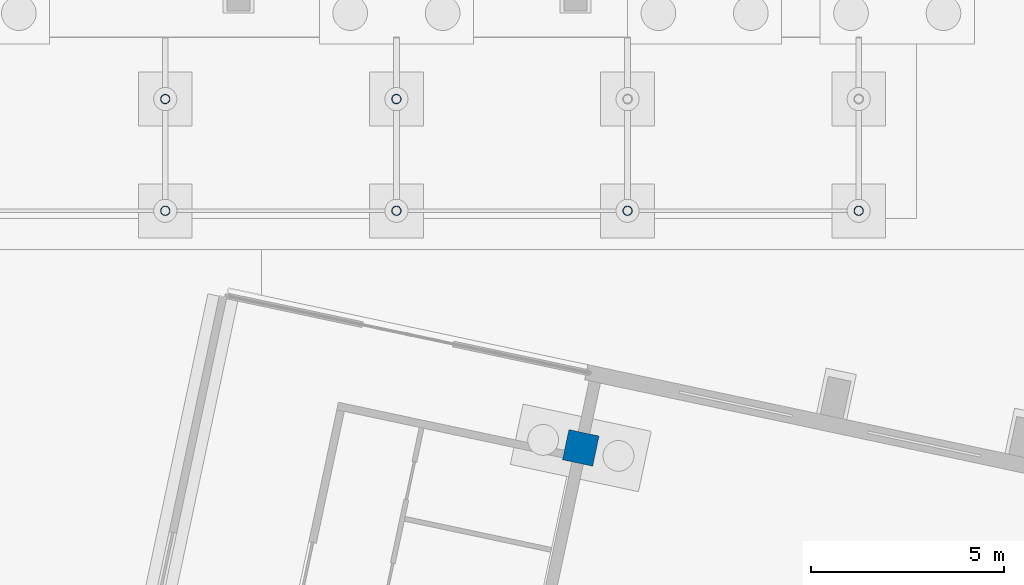
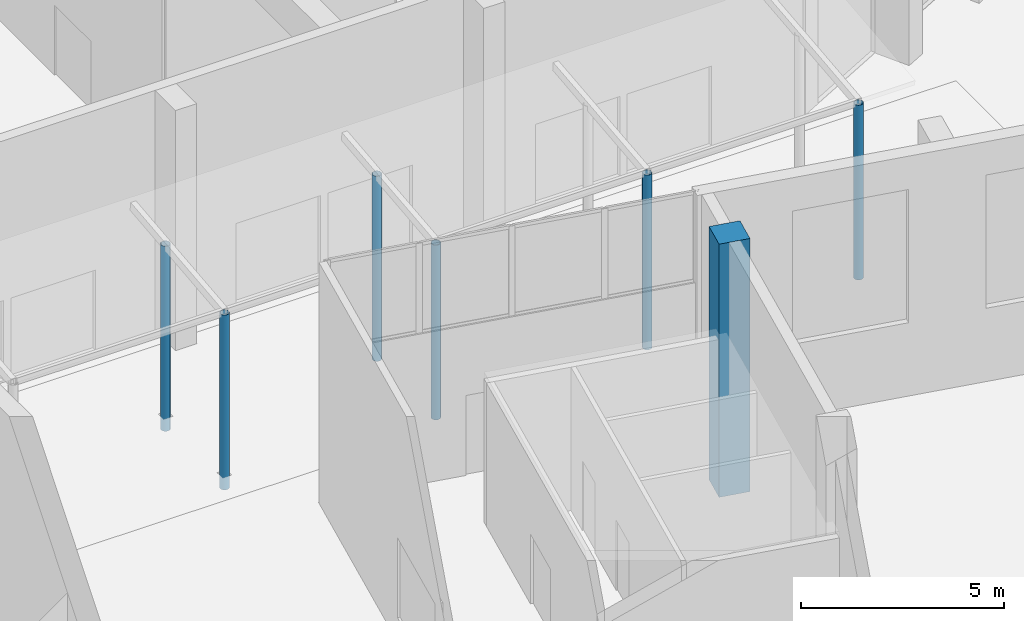
# One storey, part 40 of 239: 7 columns.
"""IFC4 building model written with IfcOpenShell, lengths in metres."""

from ifc_helpers import new_model, si_unit, direction, frame, origin, origin_2d, place, context, subcontext, project, spatial, rectangle, hollow_circle, extrude, material, material_profile, profile_set, type_object, element, save


model = new_model("IFC4")

# Units and contexts
model_context = context("Model", 3, precision=1e-05, world=origin(), true_north=direction((0.0, 1.0)))
body_context = subcontext(model_context, "Body", "Model", "MODEL_VIEW")
ifc_project = project(units=[si_unit("LENGTHUNIT", "METRE"), si_unit("AREAUNIT", "SQUARE_METRE"), si_unit("VOLUMEUNIT", "CUBIC_METRE"), si_unit("PLANEANGLEUNIT", "RADIAN"), si_unit("MASSUNIT", "GRAM", prefix="KILO")], contexts=[model_context])

# Site, building, storey
site_placement = place(None, origin())
site = spatial("IfcSite", under=ifc_project, at=site_placement, CompositionType="ELEMENT")
building_placement = place(site_placement, origin())
building = spatial("IfcBuilding", under=site, at=building_placement, Name="Okhra Congress Centre", CompositionType="ELEMENT")
storey_placement = place(building_placement, origin())
storey = spatial("IfcBuildingStorey", under=building, at=storey_placement, Name="L00", CompositionType="ELEMENT", Elevation=0.0)

# Columns
ifc_material_1 = material(Name="Concrete C40/50", Category="concrete")
ifc_material_profile_1 = material_profile(ifc_material_1, rectangle(XDim=0.800048828125, YDim=0.800048828125, at=origin_2d()), Name="RC 800x800")
ifc_profile_set_1 = profile_set([ifc_material_profile_1], Name="Concrete C40/50")
column_type_1 = type_object("IfcColumnType", Name="RC column 800x800 C40/50", PredefinedType="COLUMN", material=ifc_profile_set_1)
column_1_placement = place(storey_placement, frame((208.785888671875, 137.24560546875, -0.39990234375), z_axis=(0.0, 0.0, 1.0), x_axis=(0.978147600734, -0.207911690818, 0.0)))
element("IfcColumn", 1, at=column_1_placement, inside=storey, type_object=column_type_1, Name="Hall column W5", PredefinedType="COLUMN", context=body_context, shape_type="SweptSolid", body=[
    extrude(rectangle(XDim=0.800048828125, YDim=0.800048828125, at=origin_2d()), origin(), (0.0, 0.0, 1.0), 7.599853515625),
])
ifc_material_2 = material(Name="Steel S355J2", Category="steel")
ifc_material_profile_2 = material_profile(ifc_material_2, hollow_circle(Radius=0.122314453125, WallThickness=0.010009765625, at=origin_2d()), Name="CHS 244.5x10")
ifc_profile_set_2 = profile_set([ifc_material_profile_2], Name="Steel S355J2")
column_type_2 = type_object("IfcColumnType", Name="Steel canopy column CHS 244x10", PredefinedType="COLUMN", material=ifc_profile_set_2)
column_2_placement = place(storey_placement, frame((198.0, 143.39990234375, -0.39990234375), z_axis=(0.0, 0.0, 1.0), x_axis=(1.0, 0.0, 0.0)))
element("IfcColumn", 2, at=column_2_placement, inside=storey, type_object=column_type_2, Name="Drop-off canopy column 2.1", PredefinedType="COLUMN", context=body_context, shape_type="SweptSolid", body=[
    extrude(hollow_circle(Radius=0.122314453125, WallThickness=0.010009765625, at=origin_2d()), origin(), (0.0, 0.0, 1.0), 5.24609375),
])
column_3_placement = place(storey_placement, frame((198.0, 146.300048828125, -0.39990234375), z_axis=(0.0, 0.0, 1.0), x_axis=(1.0, 0.0, 0.0)))
element("IfcColumn", 3, at=column_3_placement, inside=storey, type_object=column_type_2, Name="Drop-off canopy column 2.2", PredefinedType="COLUMN", context=body_context, shape_type="SweptSolid", body=[
    extrude(hollow_circle(Radius=0.122314453125, WallThickness=0.010009765625, at=origin_2d()), origin(), (0.0, 0.0, 1.0), 5.5546875),
])
column_4_placement = place(storey_placement, frame((204.0, 143.39990234375, -0.39990234375), z_axis=(0.0, 0.0, 1.0), x_axis=(1.0, 0.0, 0.0)))
element("IfcColumn", 4, at=column_4_placement, inside=storey, type_object=column_type_2, Name="Drop-off canopy column 3.1", PredefinedType="COLUMN", context=body_context, shape_type="SweptSolid", body=[
    extrude(hollow_circle(Radius=0.122314453125, WallThickness=0.010009765625, at=origin_2d()), origin(), (0.0, 0.0, 1.0), 5.24609375),
])
column_5_placement = place(storey_placement, frame((204.0, 146.300048828125, -0.39990234375), z_axis=(0.0, 0.0, 1.0), x_axis=(1.0, 0.0, 0.0)))
element("IfcColumn", 5, at=column_5_placement, inside=storey, type_object=column_type_2, Name="Drop-off canopy column 3.2", PredefinedType="COLUMN", context=body_context, shape_type="SweptSolid", body=[
    extrude(hollow_circle(Radius=0.122314453125, WallThickness=0.010009765625, at=origin_2d()), origin(), (0.0, 0.0, 1.0), 5.5546875),
])
for number, where, z_axis, x_axis, name in (
    (6, (210.0, 143.39990234375, -0.39990234375), (0.0, 0.0, 1.0), (1.0, 0.0, 0.0), "Drop-off canopy column 4.1"),
    (7, (216.0, 143.39990234375, -0.39990234375), (0.0, 0.0, 1.0), (1.0, 0.0, 0.0), "Drop-off canopy column 5.1"),
):
    element("IfcColumn", number, at=place(storey_placement, frame(where, z_axis=z_axis, x_axis=x_axis)), inside=storey, type_object=column_type_2, Name=name, PredefinedType="COLUMN", context=body_context, shape_type="SweptSolid", body=[
        extrude(hollow_circle(Radius=0.122314453125, WallThickness=0.010009765625, at=origin_2d()), origin(), (0.0, 0.0, 1.0), 5.24609375),
    ])

save(model, "model.ifc")
